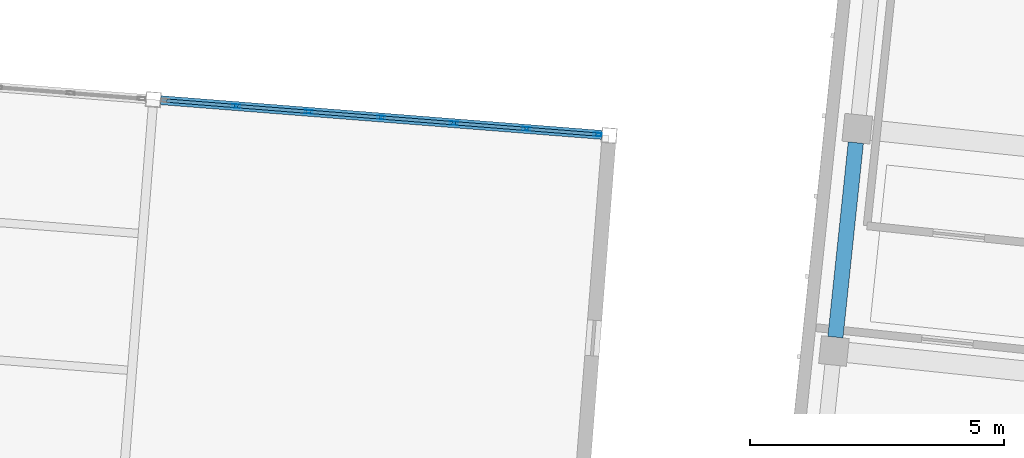
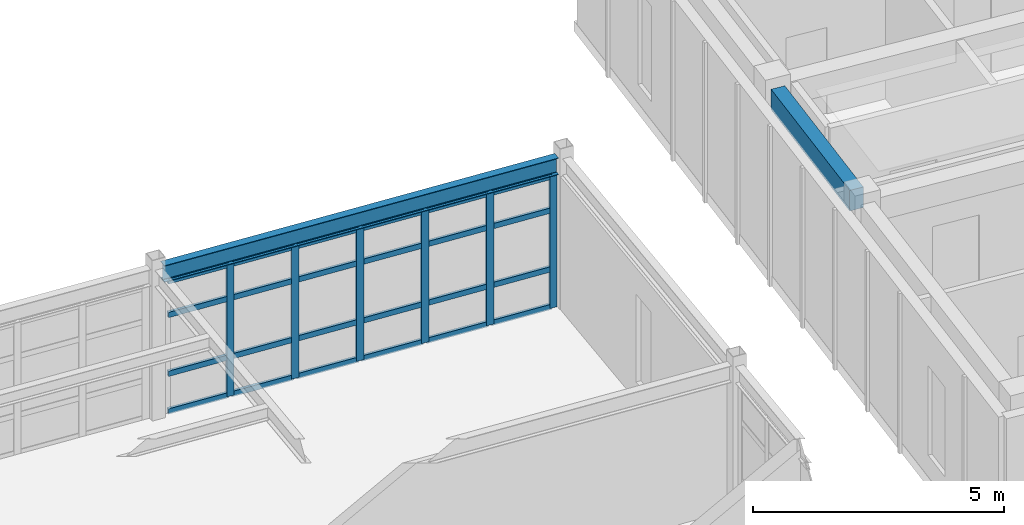
# One storey, part 56 of 150: 30 members, 2 beams, 1 element without a shape of its own.
"""IFC4 building model written with IfcOpenShell, lengths in metres."""

from ifc_helpers import new_model, si_unit, direction, frame, origin, origin_2d, place, context, subcontext, project, spatial, rectangle, hollow_rectangle, i_section, extrude, material, material_profile, profile_set, type_object, element, aggregate, save


model = new_model("IFC4")

# Units and contexts
model_context = context("Model", 3, precision=1e-05, world=origin(), true_north=direction((0.0, 1.0)))
body_context = subcontext(model_context, "Body", "Model", "MODEL_VIEW")
ifc_project = project(units=[si_unit("LENGTHUNIT", "METRE"), si_unit("AREAUNIT", "SQUARE_METRE"), si_unit("VOLUMEUNIT", "CUBIC_METRE"), si_unit("PLANEANGLEUNIT", "RADIAN"), si_unit("MASSUNIT", "GRAM", prefix="KILO")], contexts=[model_context])

# Site, building, storey
site_placement = place(None, origin())
site = spatial("IfcSite", under=ifc_project, at=site_placement, CompositionType="ELEMENT")
building_placement = place(site_placement, origin())
building = spatial("IfcBuilding", under=site, at=building_placement, Name="Kestramere Prow Commons", CompositionType="ELEMENT")
storey_placement = place(building_placement, frame((0.0, 0.0, 4.5)))
storey = spatial("IfcBuildingStorey", under=building, at=storey_placement, Name="L01", CompositionType="ELEMENT", Elevation=4.5)

# Beams
ifc_material_1 = material(Name="Steel S355JR", Category="steel")
ifc_material_profile_1 = material_profile(ifc_material_1, i_section(OverallWidth=0.177978515625, OverallDepth=0.406494140625, WebThickness=0.0078125, FlangeThickness=0.0126953125, FilletRadius=0.01025390625, at=origin_2d()), Name="UB 406x178x60")
ifc_profile_set_1 = profile_set([ifc_material_profile_1], Name="Steel S355JR")
beam_type_1 = type_object("IfcBeamType", Name="BM-NR-01 UB 406x178x60 (EX)", PredefinedType="BEAM", material=ifc_profile_set_1)
beam_1_placement = place(storey_placement, frame((97.54931640625, 107.2958984375, 3.44677734375), z_axis=(0.996917066238, -0.078462494502, 0.0), x_axis=(0.078462494502, 0.996917066238, 0.0)))
element("IfcBeam", 1, at=beam_1_placement, inside=storey, type_object=beam_type_1, Name="Nursery L01 Beam U 4-4", PredefinedType="BEAM", context=body_context, shape_type="SweptSolid", body=[
    extrude(i_section(OverallWidth=0.177978515625, OverallDepth=0.406494140625, WebThickness=0.0078125, FlangeThickness=0.0126953125, FilletRadius=0.01025390625, at=origin_2d()), origin(), (0.0, 0.0, 1.0), 8.699951171875),
])
ifc_material_2 = material(Name="Precast concrete C40/50", Category="concrete")
ifc_material_profile_2 = material_profile(ifc_material_2, rectangle(XDim=0.300048828125, YDim=0.5, at=origin_2d()), Name="PC-BM 300x500")
ifc_profile_set_2 = profile_set([ifc_material_profile_2], Name="Precast concrete C40/50")
beam_type_2 = type_object("IfcBeamType", Name="BM-TIE-01 PC-BM 300x500", PredefinedType="BEAM", material=ifc_profile_set_2)
beam_2_placement = place(storey_placement, frame((110.8232421875, 102.6318359375, 3.39990234375), z_axis=(0.104506528251, 0.994524200587, 0.0), x_axis=(-0.994524200587, 0.104506528251, 0.0)))
element("IfcBeam", 2, at=beam_2_placement, inside=storey, type_object=beam_type_2, Name="Block B L01 Transverse Beam 1-2", PredefinedType="BEAM", context=body_context, shape_type="SweptSolid", body=[
    extrude(rectangle(XDim=0.300048828125, YDim=0.5, at=origin_2d()), origin(), (0.0, 0.0, 1.0), 3.849853515625),
])

# Curtain wall, members
ifc_material_3 = material(Name="Anodised Aluminium and Low-E Glass", Category="aluminium")
curtain_wall_type = type_object("IfcCurtainWallType", Name="CW-15 Glazed Curtain Wall 8600x3230", PredefinedType="USERDEFINED", material=ifc_material_3)
curtain_wall_placement = place(storey_placement, origin())
curtain_wall = element("IfcCurtainWall", 3, at=curtain_wall_placement, inside=storey, type_object=curtain_wall_type, Name="Nursery L01 North Garden Glazing 4", ObjectType="GLAZED CURTAIN WALL", PredefinedType="USERDEFINED")
ifc_material_4 = material(Name="Anodised Aluminium 6063-T6", Category="aluminium")
ifc_material_profile_3 = material_profile(ifc_material_4, hollow_rectangle(XDim=0.06494140625, YDim=0.159912109375, WallThickness=0.00390625, at=origin_2d()), Name="ALU-MUL 65x160")
ifc_profile_set_3 = profile_set([ifc_material_profile_3], Name="Anodised Aluminium 6063-T6")
member_type_1 = type_object("IfcMemberType", Name="CW-MUL-65x160", PredefinedType="MULLION", material=ifc_profile_set_3)
member_1_placement = place(storey_placement, frame((99.028076171875, 107.179443359375, 0.0), z_axis=(0.0, 0.0, 1.0), x_axis=(0.078459186136, 0.996917326618, 0.0)))
member_1 = element("IfcMember", 4, at=member_1_placement, type_object=member_type_1, Name="CW-15 mullion 2", PredefinedType="MULLION", context=body_context, shape_type="SweptSolid", body=[
    extrude(hollow_rectangle(XDim=0.06494140625, YDim=0.159912109375, WallThickness=0.00390625, at=origin_2d()), origin(), (0.0, 0.0, 1.0), 3.22998046875),
])
member_2_placement = place(storey_placement, frame((100.45703125, 107.06689453125, 0.0), z_axis=(0.0, 0.0, 1.0), x_axis=(0.078459186136, 0.996917326618, 0.0)))
member_2 = element("IfcMember", 5, at=member_2_placement, type_object=member_type_1, Name="CW-15 mullion 3", PredefinedType="MULLION", context=body_context, shape_type="SweptSolid", body=[
    extrude(hollow_rectangle(XDim=0.06494140625, YDim=0.159912109375, WallThickness=0.00390625, at=origin_2d()), origin(), (0.0, 0.0, 1.0), 3.22998046875),
])
member_3_placement = place(storey_placement, frame((101.885986328125, 106.95458984375, 0.0), z_axis=(0.0, 0.0, 1.0), x_axis=(0.078459186136, 0.996917326618, 0.0)))
member_3 = element("IfcMember", 6, at=member_3_placement, type_object=member_type_1, Name="CW-15 mullion 4", PredefinedType="MULLION", context=body_context, shape_type="SweptSolid", body=[
    extrude(hollow_rectangle(XDim=0.06494140625, YDim=0.159912109375, WallThickness=0.00390625, at=origin_2d()), origin(), (0.0, 0.0, 1.0), 3.22998046875),
])
member_4_placement = place(storey_placement, frame((103.31494140625, 106.842041015625, 0.0), z_axis=(0.0, 0.0, 1.0), x_axis=(0.078459186136, 0.996917326618, 0.0)))
member_4 = element("IfcMember", 7, at=member_4_placement, type_object=member_type_1, Name="CW-15 mullion 5", PredefinedType="MULLION", context=body_context, shape_type="SweptSolid", body=[
    extrude(hollow_rectangle(XDim=0.06494140625, YDim=0.159912109375, WallThickness=0.00390625, at=origin_2d()), origin(), (0.0, 0.0, 1.0), 3.22998046875),
])
member_5_placement = place(storey_placement, frame((104.74365234375, 106.729736328125, 0.0), z_axis=(0.0, 0.0, 1.0), x_axis=(0.078459186136, 0.996917326618, 0.0)))
member_5 = element("IfcMember", 8, at=member_5_placement, type_object=member_type_1, Name="CW-15 mullion 6", PredefinedType="MULLION", context=body_context, shape_type="SweptSolid", body=[
    extrude(hollow_rectangle(XDim=0.06494140625, YDim=0.159912109375, WallThickness=0.00390625, at=origin_2d()), origin(), (0.0, 0.0, 1.0), 3.22998046875),
])
member_6_placement = place(storey_placement, frame((106.140380859375, 106.61962890625, 0.0), z_axis=(0.0, 0.0, 1.0), x_axis=(0.078459186136, 0.996917326618, 0.0)))
member_6 = element("IfcMember", 9, at=member_6_placement, type_object=member_type_1, Name="CW-15 mullion 7", PredefinedType="MULLION", context=body_context, shape_type="SweptSolid", body=[
    extrude(hollow_rectangle(XDim=0.06494140625, YDim=0.159912109375, WallThickness=0.00390625, at=origin_2d()), origin(), (0.0, 0.0, 1.0), 3.22998046875),
])
ifc_material_profile_4 = material_profile(ifc_material_4, hollow_rectangle(XDim=0.06494140625, YDim=0.1298828125, WallThickness=0.00390625, at=origin_2d()), Name="ALU-TRN 65x130")
ifc_profile_set_4 = profile_set([ifc_material_profile_4], Name="Anodised Aluminium 6063-T6")
member_type_2 = type_object("IfcMemberType", Name="CW-TRN-65x130", PredefinedType="USERDEFINED", material=ifc_profile_set_4)
member_7_placement = place(storey_placement, frame((97.6640625, 107.286865234375, 0.032470703125), z_axis=(0.996920751352, -0.07841565866, 0.0), x_axis=(0.07841565866, 0.996920751352, 0.0)))
member_7 = element("IfcMember", 10, at=member_7_placement, type_object=member_type_2, Name="CW-15 transom 1.1", ObjectType="TRANSOM", PredefinedType="USERDEFINED", context=body_context, shape_type="SweptSolid", body=[
    extrude(hollow_rectangle(XDim=0.06494140625, YDim=0.1298828125, WallThickness=0.00390625, at=origin_2d()), origin(), (0.0, 0.0, 1.0), 1.335693359375),
])
member_8_placement = place(storey_placement, frame((97.6640625, 107.286865234375, 0.949951171875), z_axis=(0.996920751352, -0.07841565866, 0.0), x_axis=(0.07841565866, 0.996920751352, 0.0)))
member_8 = element("IfcMember", 11, at=member_8_placement, type_object=member_type_2, Name="CW-15 transom 1.2", ObjectType="TRANSOM", PredefinedType="USERDEFINED", context=body_context, shape_type="SweptSolid", body=[
    extrude(hollow_rectangle(XDim=0.06494140625, YDim=0.1298828125, WallThickness=0.00390625, at=origin_2d()), origin(), (0.0, 0.0, 1.0), 1.335693359375),
])
member_9_placement = place(storey_placement, frame((97.6640625, 107.286865234375, 2.3798828125), z_axis=(0.996920751352, -0.07841565866, 0.0), x_axis=(0.07841565866, 0.996920751352, 0.0)))
member_9 = element("IfcMember", 12, at=member_9_placement, type_object=member_type_2, Name="CW-15 transom 1.3", ObjectType="TRANSOM", PredefinedType="USERDEFINED", context=body_context, shape_type="SweptSolid", body=[
    extrude(hollow_rectangle(XDim=0.06494140625, YDim=0.1298828125, WallThickness=0.00390625, at=origin_2d()), origin(), (0.0, 0.0, 1.0), 1.335693359375),
])
member_10_placement = place(storey_placement, frame((97.6640625, 107.286865234375, 3.197509765625), z_axis=(0.996920751352, -0.07841565866, 0.0), x_axis=(0.07841565866, 0.996920751352, 0.0)))
member_10 = element("IfcMember", 13, at=member_10_placement, type_object=member_type_2, Name="CW-15 transom 1.4", ObjectType="TRANSOM", PredefinedType="USERDEFINED", context=body_context, shape_type="SweptSolid", body=[
    extrude(hollow_rectangle(XDim=0.06494140625, YDim=0.1298828125, WallThickness=0.00390625, at=origin_2d()), origin(), (0.0, 0.0, 1.0), 1.335693359375),
])
member_11_placement = place(storey_placement, frame((99.060546875, 107.177001953125, 0.032470703125), z_axis=(0.996913235205, -0.07851115509, 0.0), x_axis=(0.07851115509, 0.996913235205, 0.0)))
member_11 = element("IfcMember", 14, at=member_11_placement, type_object=member_type_2, Name="CW-15 transom 2.1", ObjectType="TRANSOM", PredefinedType="USERDEFINED", context=body_context, shape_type="SweptSolid", body=[
    extrude(hollow_rectangle(XDim=0.06494140625, YDim=0.1298828125, WallThickness=0.00390625, at=origin_2d()), origin(), (0.0, 0.0, 1.0), 1.3681640625),
])
member_12_placement = place(storey_placement, frame((99.060546875, 107.177001953125, 0.949951171875), z_axis=(0.996913235205, -0.07851115509, 0.0), x_axis=(0.07851115509, 0.996913235205, 0.0)))
member_12 = element("IfcMember", 15, at=member_12_placement, type_object=member_type_2, Name="CW-15 transom 2.2", ObjectType="TRANSOM", PredefinedType="USERDEFINED", context=body_context, shape_type="SweptSolid", body=[
    extrude(hollow_rectangle(XDim=0.06494140625, YDim=0.1298828125, WallThickness=0.00390625, at=origin_2d()), origin(), (0.0, 0.0, 1.0), 1.3681640625),
])
member_13_placement = place(storey_placement, frame((99.060546875, 107.177001953125, 2.3798828125), z_axis=(0.996913235205, -0.07851115509, 0.0), x_axis=(0.07851115509, 0.996913235205, 0.0)))
member_13 = element("IfcMember", 16, at=member_13_placement, type_object=member_type_2, Name="CW-15 transom 2.3", ObjectType="TRANSOM", PredefinedType="USERDEFINED", context=body_context, shape_type="SweptSolid", body=[
    extrude(hollow_rectangle(XDim=0.06494140625, YDim=0.1298828125, WallThickness=0.00390625, at=origin_2d()), origin(), (0.0, 0.0, 1.0), 1.3681640625),
])
member_14_placement = place(storey_placement, frame((99.060546875, 107.177001953125, 3.197509765625), z_axis=(0.996913235205, -0.07851115509, 0.0), x_axis=(0.07851115509, 0.996913235205, 0.0)))
member_14 = element("IfcMember", 17, at=member_14_placement, type_object=member_type_2, Name="CW-15 transom 2.4", ObjectType="TRANSOM", PredefinedType="USERDEFINED", context=body_context, shape_type="SweptSolid", body=[
    extrude(hollow_rectangle(XDim=0.06494140625, YDim=0.1298828125, WallThickness=0.00390625, at=origin_2d()), origin(), (0.0, 0.0, 1.0), 1.3681640625),
])
member_15_placement = place(storey_placement, frame((100.489501953125, 107.064453125, 0.032470703125), z_axis=(0.996913235205, -0.07851115509, 0.0), x_axis=(0.07851115509, 0.996913235205, 0.0)))
member_15 = element("IfcMember", 18, at=member_15_placement, type_object=member_type_2, Name="CW-15 transom 3.1", ObjectType="TRANSOM", PredefinedType="USERDEFINED", context=body_context, shape_type="SweptSolid", body=[
    extrude(hollow_rectangle(XDim=0.06494140625, YDim=0.1298828125, WallThickness=0.00390625, at=origin_2d()), origin(), (0.0, 0.0, 1.0), 1.3681640625),
])
member_16_placement = place(storey_placement, frame((100.489501953125, 107.064453125, 0.949951171875), z_axis=(0.996913235205, -0.07851115509, 0.0), x_axis=(0.07851115509, 0.996913235205, 0.0)))
member_16 = element("IfcMember", 19, at=member_16_placement, type_object=member_type_2, Name="CW-15 transom 3.2", ObjectType="TRANSOM", PredefinedType="USERDEFINED", context=body_context, shape_type="SweptSolid", body=[
    extrude(hollow_rectangle(XDim=0.06494140625, YDim=0.1298828125, WallThickness=0.00390625, at=origin_2d()), origin(), (0.0, 0.0, 1.0), 1.3681640625),
])
member_17_placement = place(storey_placement, frame((100.489501953125, 107.064453125, 2.3798828125), z_axis=(0.996913235205, -0.07851115509, 0.0), x_axis=(0.07851115509, 0.996913235205, 0.0)))
member_17 = element("IfcMember", 20, at=member_17_placement, type_object=member_type_2, Name="CW-15 transom 3.3", ObjectType="TRANSOM", PredefinedType="USERDEFINED", context=body_context, shape_type="SweptSolid", body=[
    extrude(hollow_rectangle(XDim=0.06494140625, YDim=0.1298828125, WallThickness=0.00390625, at=origin_2d()), origin(), (0.0, 0.0, 1.0), 1.3681640625),
])
member_18_placement = place(storey_placement, frame((100.489501953125, 107.064453125, 3.197509765625), z_axis=(0.996913235205, -0.07851115509, 0.0), x_axis=(0.07851115509, 0.996913235205, 0.0)))
member_18 = element("IfcMember", 21, at=member_18_placement, type_object=member_type_2, Name="CW-15 transom 3.4", ObjectType="TRANSOM", PredefinedType="USERDEFINED", context=body_context, shape_type="SweptSolid", body=[
    extrude(hollow_rectangle(XDim=0.06494140625, YDim=0.1298828125, WallThickness=0.00390625, at=origin_2d()), origin(), (0.0, 0.0, 1.0), 1.3681640625),
])
member_19_placement = place(storey_placement, frame((101.918212890625, 106.951904296875, 0.032470703125), z_axis=(0.996928280109, -0.078319884568, 0.0), x_axis=(0.078319884568, 0.996928280109, 0.0)))
member_19 = element("IfcMember", 22, at=member_19_placement, type_object=member_type_2, Name="CW-15 transom 4.1", ObjectType="TRANSOM", PredefinedType="USERDEFINED", context=body_context, shape_type="SweptSolid", body=[
    extrude(hollow_rectangle(XDim=0.06494140625, YDim=0.1298828125, WallThickness=0.00390625, at=origin_2d()), origin(), (0.0, 0.0, 1.0), 1.368408203125),
])
member_20_placement = place(storey_placement, frame((101.918212890625, 106.951904296875, 0.949951171875), z_axis=(0.996928280109, -0.078319884568, 0.0), x_axis=(0.078319884568, 0.996928280109, 0.0)))
member_20 = element("IfcMember", 23, at=member_20_placement, type_object=member_type_2, Name="CW-15 transom 4.2", ObjectType="TRANSOM", PredefinedType="USERDEFINED", context=body_context, shape_type="SweptSolid", body=[
    extrude(hollow_rectangle(XDim=0.06494140625, YDim=0.1298828125, WallThickness=0.00390625, at=origin_2d()), origin(), (0.0, 0.0, 1.0), 1.368408203125),
])
member_21_placement = place(storey_placement, frame((101.918212890625, 106.951904296875, 2.3798828125), z_axis=(0.996928280109, -0.078319884568, 0.0), x_axis=(0.078319884568, 0.996928280109, 0.0)))
member_21 = element("IfcMember", 24, at=member_21_placement, type_object=member_type_2, Name="CW-15 transom 4.3", ObjectType="TRANSOM", PredefinedType="USERDEFINED", context=body_context, shape_type="SweptSolid", body=[
    extrude(hollow_rectangle(XDim=0.06494140625, YDim=0.1298828125, WallThickness=0.00390625, at=origin_2d()), origin(), (0.0, 0.0, 1.0), 1.368408203125),
])
member_22_placement = place(storey_placement, frame((101.918212890625, 106.951904296875, 3.197509765625), z_axis=(0.996928280109, -0.078319884568, 0.0), x_axis=(0.078319884568, 0.996928280109, 0.0)))
member_22 = element("IfcMember", 25, at=member_22_placement, type_object=member_type_2, Name="CW-15 transom 4.4", ObjectType="TRANSOM", PredefinedType="USERDEFINED", context=body_context, shape_type="SweptSolid", body=[
    extrude(hollow_rectangle(XDim=0.06494140625, YDim=0.1298828125, WallThickness=0.00390625, at=origin_2d()), origin(), (0.0, 0.0, 1.0), 1.368408203125),
])
member_23_placement = place(storey_placement, frame((103.34716796875, 106.839599609375, 0.032470703125), z_axis=(0.996914334782, -0.078497191715, 0.0), x_axis=(0.078497191715, 0.996914334782, 0.0)))
member_23 = element("IfcMember", 26, at=member_23_placement, type_object=member_type_2, Name="CW-15 transom 5.1", ObjectType="TRANSOM", PredefinedType="USERDEFINED", context=body_context, shape_type="SweptSolid", body=[
    extrude(hollow_rectangle(XDim=0.06494140625, YDim=0.1298828125, WallThickness=0.00390625, at=origin_2d()), origin(), (0.0, 0.0, 1.0), 1.368408203125),
])
member_24_placement = place(storey_placement, frame((103.34716796875, 106.839599609375, 0.949951171875), z_axis=(0.996914334782, -0.078497191715, 0.0), x_axis=(0.078497191715, 0.996914334782, 0.0)))
member_24 = element("IfcMember", 27, at=member_24_placement, type_object=member_type_2, Name="CW-15 transom 5.2", ObjectType="TRANSOM", PredefinedType="USERDEFINED", context=body_context, shape_type="SweptSolid", body=[
    extrude(hollow_rectangle(XDim=0.06494140625, YDim=0.1298828125, WallThickness=0.00390625, at=origin_2d()), origin(), (0.0, 0.0, 1.0), 1.368408203125),
])
member_25_placement = place(storey_placement, frame((103.34716796875, 106.839599609375, 2.3798828125), z_axis=(0.996914334782, -0.078497191715, 0.0), x_axis=(0.078497191715, 0.996914334782, 0.0)))
member_25 = element("IfcMember", 28, at=member_25_placement, type_object=member_type_2, Name="CW-15 transom 5.3", ObjectType="TRANSOM", PredefinedType="USERDEFINED", context=body_context, shape_type="SweptSolid", body=[
    extrude(hollow_rectangle(XDim=0.06494140625, YDim=0.1298828125, WallThickness=0.00390625, at=origin_2d()), origin(), (0.0, 0.0, 1.0), 1.368408203125),
])
member_26_placement = place(storey_placement, frame((103.34716796875, 106.839599609375, 3.197509765625), z_axis=(0.996914334782, -0.078497191715, 0.0), x_axis=(0.078497191715, 0.996914334782, 0.0)))
member_26 = element("IfcMember", 29, at=member_26_placement, type_object=member_type_2, Name="CW-15 transom 5.4", ObjectType="TRANSOM", PredefinedType="USERDEFINED", context=body_context, shape_type="SweptSolid", body=[
    extrude(hollow_rectangle(XDim=0.06494140625, YDim=0.1298828125, WallThickness=0.00390625, at=origin_2d()), origin(), (0.0, 0.0, 1.0), 1.368408203125),
])
member_27_placement = place(storey_placement, frame((104.776123046875, 106.72705078125, 0.032470703125), z_axis=(0.996921875006, -0.078401372022, 0.0), x_axis=(0.078401372022, 0.996921875006, 0.0)))
member_27 = element("IfcMember", 30, at=member_27_placement, type_object=member_type_2, Name="CW-15 transom 6.1", ObjectType="TRANSOM", PredefinedType="USERDEFINED", context=body_context, shape_type="SweptSolid", body=[
    extrude(hollow_rectangle(XDim=0.06494140625, YDim=0.1298828125, WallThickness=0.00390625, at=origin_2d()), origin(), (0.0, 0.0, 1.0), 1.3359375),
])
member_28_placement = place(storey_placement, frame((104.776123046875, 106.72705078125, 0.949951171875), z_axis=(0.996921875006, -0.078401372022, 0.0), x_axis=(0.078401372022, 0.996921875006, 0.0)))
member_28 = element("IfcMember", 31, at=member_28_placement, type_object=member_type_2, Name="CW-15 transom 6.2", ObjectType="TRANSOM", PredefinedType="USERDEFINED", context=body_context, shape_type="SweptSolid", body=[
    extrude(hollow_rectangle(XDim=0.06494140625, YDim=0.1298828125, WallThickness=0.00390625, at=origin_2d()), origin(), (0.0, 0.0, 1.0), 1.3359375),
])
member_29_placement = place(storey_placement, frame((104.776123046875, 106.72705078125, 2.3798828125), z_axis=(0.996921875006, -0.078401372022, 0.0), x_axis=(0.078401372022, 0.996921875006, 0.0)))
member_29 = element("IfcMember", 32, at=member_29_placement, type_object=member_type_2, Name="CW-15 transom 6.3", ObjectType="TRANSOM", PredefinedType="USERDEFINED", context=body_context, shape_type="SweptSolid", body=[
    extrude(hollow_rectangle(XDim=0.06494140625, YDim=0.1298828125, WallThickness=0.00390625, at=origin_2d()), origin(), (0.0, 0.0, 1.0), 1.3359375),
])
member_30_placement = place(storey_placement, frame((104.776123046875, 106.72705078125, 3.197509765625), z_axis=(0.996921875006, -0.078401372022, 0.0), x_axis=(0.078401372022, 0.996921875006, 0.0)))
member_30 = element("IfcMember", 33, at=member_30_placement, type_object=member_type_2, Name="CW-15 transom 6.4", ObjectType="TRANSOM", PredefinedType="USERDEFINED", context=body_context, shape_type="SweptSolid", body=[
    extrude(hollow_rectangle(XDim=0.06494140625, YDim=0.1298828125, WallThickness=0.00390625, at=origin_2d()), origin(), (0.0, 0.0, 1.0), 1.3359375),
])
aggregate(curtain_wall, [member_1, member_2, member_3, member_4, member_5, member_6, member_7, member_8, member_9, member_10, member_11, member_12, member_13, member_14, member_15, member_16, member_17, member_18, member_19, member_20, member_21, member_22, member_23, member_24, member_25, member_26, member_27, member_28, member_29, member_30])

save(model, "model.ifc")
